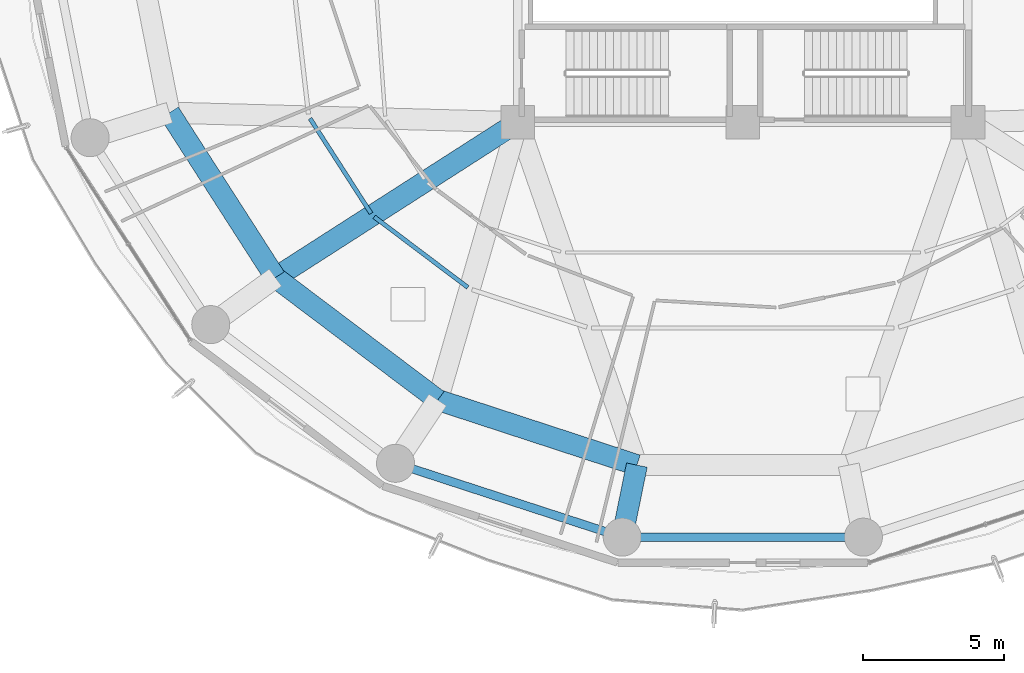
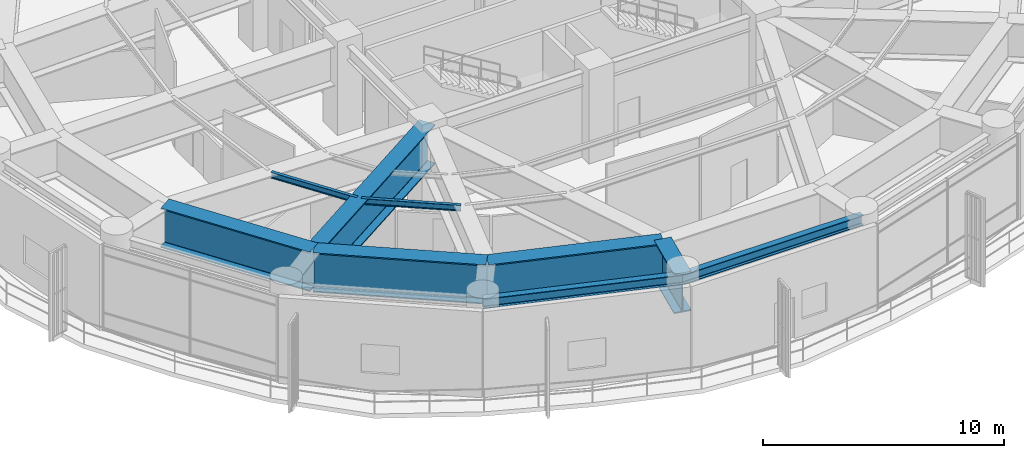
# One storey, part 3 of 34: 9 beams.
"""IFC4 building model written with IfcOpenShell, lengths in metres."""

from ifc_helpers import new_model, si_unit, direction, frame, origin, origin_2d, place, context, subcontext, project, spatial, i_section, extrude, material, material_profile, profile_set, type_object, element, save


model = new_model("IFC4")

# Units and contexts
model_context = context("Model", 3, precision=1e-05, world=origin(), true_north=direction((0.0, 1.0)))
body_context = subcontext(model_context, "Body", "Model", "MODEL_VIEW")
ifc_project = project(units=[si_unit("LENGTHUNIT", "METRE"), si_unit("AREAUNIT", "SQUARE_METRE"), si_unit("VOLUMEUNIT", "CUBIC_METRE"), si_unit("PLANEANGLEUNIT", "RADIAN"), si_unit("MASSUNIT", "GRAM", prefix="KILO")], contexts=[model_context])

# Site, building, storey
site_placement = place(None, origin())
site = spatial("IfcSite", under=ifc_project, at=site_placement, CompositionType="ELEMENT")
building_placement = place(site_placement, origin())
building = spatial("IfcBuilding", under=site, at=building_placement, Name="Kelanora Arch Commons", CompositionType="ELEMENT")
storey_placement = place(building_placement, frame((0.0, 0.0, 125.10009765625)))
storey = spatial("IfcBuildingStorey", under=building, at=storey_placement, Name="L32", CompositionType="ELEMENT", Elevation=125.10009765625)

# Beams
ifc_material = material(Name="Steel S355", Category="steel")
ifc_material_profile_1 = material_profile(ifc_material, i_section(OverallWidth=0.14990234375, OverallDepth=0.300048828125, WebThickness=0.007080078125, FlangeThickness=0.0107421875, FilletRadius=0.014892578125, at=origin_2d()), Name="IPE300")
ifc_profile_set_1 = profile_set([ifc_material_profile_1], Name="Steel S355")
beam_type_1 = type_object("IfcBeamType", Name="BM-JST-01", PredefinedType="JOIST", material=ifc_profile_set_1)
beam_1_placement = place(storey_placement, frame((58.622314453125, 51.130859375, 4.2099609375), z_axis=(0.540594434398, -0.841283339606, 0.0), x_axis=(0.841283339606, 0.540594434398, 0.0)))
element("IfcBeam", 1, at=beam_1_placement, inside=storey, type_object=beam_type_1, Name="Secondary Chord Joist BJB-20 L32", PredefinedType="JOIST", context=body_context, shape_type="SweptSolid", body=[
    extrude(i_section(OverallWidth=0.14990234375, OverallDepth=0.300048828125, WebThickness=0.007080078125, FlangeThickness=0.0107421875, FilletRadius=0.014892578125, at=origin_2d()), origin(), (0.0, 0.0, 1.0), 4.008544921875),
])
beam_2_placement = place(storey_placement, frame((60.9033203125, 47.635986328125, 4.2099609375), z_axis=(0.798463547891, -0.602043156833, 0.0), x_axis=(0.602043156833, 0.798463547891, 0.0)))
element("IfcBeam", 2, at=beam_2_placement, inside=storey, type_object=beam_type_1, Name="Secondary Chord Joist BJB-22 L32", PredefinedType="JOIST", context=body_context, shape_type="SweptSolid", body=[
    extrude(i_section(OverallWidth=0.14990234375, OverallDepth=0.300048828125, WebThickness=0.007080078125, FlangeThickness=0.0107421875, FilletRadius=0.014892578125, at=origin_2d()), origin(), (0.0, 0.0, 1.0), 4.163818359375),
])
ifc_material_profile_2 = material_profile(ifc_material, i_section(OverallWidth=0.300048828125, OverallDepth=0.5, WebThickness=0.014404296875, FlangeThickness=0.028076171875, FilletRadius=0.027099609375, at=origin_2d()), Name="HEB500")
ifc_profile_set_2 = profile_set([ifc_material_profile_2], Name="Steel S355")
beam_type_2 = type_object("IfcBeamType", Name="BM-SPN-Z2", PredefinedType="SPANDREL", material=ifc_profile_set_2)
beam_3_placement = place(storey_placement, frame((61.659912109375, 38.878173828125, 4.10986328125), z_axis=(0.950856631974, -0.309631499418, 0.0), x_axis=(0.309631499418, 0.950856631974, 0.0)))
element("IfcBeam", 3, at=beam_3_placement, inside=storey, type_object=beam_type_2, Name="Perimeter Spandrel Beam BS-24 L32", PredefinedType="SPANDREL", context=body_context, shape_type="SweptSolid", body=[
    extrude(i_section(OverallWidth=0.300048828125, OverallDepth=0.5, WebThickness=0.014404296875, FlangeThickness=0.028076171875, FilletRadius=0.027099609375, at=origin_2d()), origin(), (0.0, 0.0, 1.0), 8.470703125),
])
beam_4_placement = place(storey_placement, frame((69.71435546875, 36.25537109375, 4.10986328125), z_axis=(1.0, 0.0, 0.0), x_axis=(0.0, 1.0, 0.0)))
element("IfcBeam", 4, at=beam_4_placement, inside=storey, type_object=beam_type_2, Name="Perimeter Spandrel Beam BS-26 L32", PredefinedType="SPANDREL", context=body_context, shape_type="SweptSolid", body=[
    extrude(i_section(OverallWidth=0.300048828125, OverallDepth=0.5, WebThickness=0.014404296875, FlangeThickness=0.028076171875, FilletRadius=0.027099609375, at=origin_2d()), origin(), (0.0, 0.0, 1.0), 8.5712890625),
])
ifc_material_profile_3 = material_profile(ifc_material, i_section(OverallWidth=0.75, OverallDepth=2.0, WebThickness=0.034912109375, FlangeThickness=0.06005859375, FilletRadius=0.028076171875, at=origin_2d()), Name="PG2000x750")
ifc_profile_set_3 = profile_set([ifc_material_profile_3], Name="Steel S355")
beam_type_3 = type_object("IfcBeamType", Name="BM-XFER-SET", PredefinedType="USERDEFINED", material=ifc_profile_set_3)
beam_5_placement = place(storey_placement, frame((66.0, 51.0, 3.35986328125), z_axis=(-0.841719465748, -0.539915123868, 0.0), x_axis=(0.539915123868, -0.841719465748, 0.0)))
element("IfcBeam", 5, at=beam_5_placement, inside=storey, type_object=beam_type_3, Name="Setback Radial Transfer Girder BRI-22 L32", ObjectType="TRANSFER_GIRDER", PredefinedType="USERDEFINED", context=body_context, shape_type="SweptSolid", body=[
    extrude(i_section(OverallWidth=0.75, OverallDepth=2.0, WebThickness=0.034912109375, FlangeThickness=0.06005859375, FilletRadius=0.028076171875, at=origin_2d()), origin(), (0.0, 0.0, 1.0), 10.2265625),
])
beam_6_placement = place(storey_placement, frame((70.2353515625, 38.81591796875, 3.35986328125), z_axis=(-0.199385185861, -0.979921194617, 0.0), x_axis=(0.979921194617, -0.199385185861, 0.0)))
element("IfcBeam", 6, at=beam_6_placement, inside=storey, type_object=beam_type_3, Name="Radial Floor Girder BR-26 L32", ObjectType="TRANSFER_GIRDER", PredefinedType="USERDEFINED", context=body_context, shape_type="SweptSolid", body=[
    extrude(i_section(OverallWidth=0.75, OverallDepth=2.0, WebThickness=0.034912109375, FlangeThickness=0.06005859375, FilletRadius=0.028076171875, at=origin_2d()), origin(), (0.0, 0.0, 1.0), 2.613037109375),
])
beam_7_placement = place(storey_placement, frame((53.62744140625, 51.33740234375, 3.35986328125), z_axis=(0.540576852469, -0.841294637196, 0.0), x_axis=(0.841294637196, 0.540576852469, 0.0)))
element("IfcBeam", 7, at=beam_7_placement, inside=storey, type_object=beam_type_3, Name="Setback Inner Transfer Ring BSI-20 L32", ObjectType="TRANSFER_GIRDER", PredefinedType="USERDEFINED", context=body_context, shape_type="SweptSolid", body=[
    extrude(i_section(OverallWidth=0.75, OverallDepth=2.0, WebThickness=0.034912109375, FlangeThickness=0.06005859375, FilletRadius=0.028076171875, at=origin_2d()), origin(), (0.0, 0.0, 1.0), 6.964111328125),
])
beam_8_placement = place(storey_placement, frame((57.39208984375, 45.478515625, 3.35986328125), z_axis=(0.798484645564, -0.60201517489, 0.0), x_axis=(0.60201517489, 0.798484645564, 0.0)))
element("IfcBeam", 8, at=beam_8_placement, inside=storey, type_object=beam_type_3, Name="Setback Inner Transfer Ring BSI-22 L32", ObjectType="TRANSFER_GIRDER", PredefinedType="USERDEFINED", context=body_context, shape_type="SweptSolid", body=[
    extrude(i_section(OverallWidth=0.75, OverallDepth=2.0, WebThickness=0.034912109375, FlangeThickness=0.06005859375, FilletRadius=0.028076171875, at=origin_2d()), origin(), (0.0, 0.0, 1.0), 7.223388671875),
])
beam_9_placement = place(storey_placement, frame((63.159912109375, 41.1298828125, 3.35986328125), z_axis=(0.950461975786, -0.310840847676, 0.0), x_axis=(0.310840847676, 0.950461975786, 0.0)))
element("IfcBeam", 9, at=beam_9_placement, inside=storey, type_object=beam_type_3, Name="Setback Inner Transfer Ring BSI-24 L32", ObjectType="TRANSFER_GIRDER", PredefinedType="USERDEFINED", context=body_context, shape_type="SweptSolid", body=[
    extrude(i_section(OverallWidth=0.75, OverallDepth=2.0, WebThickness=0.034912109375, FlangeThickness=0.06005859375, FilletRadius=0.028076171875, at=origin_2d()), origin(), (0.0, 0.0, 1.0), 7.444091796875),
])

save(model, "model.ifc")
